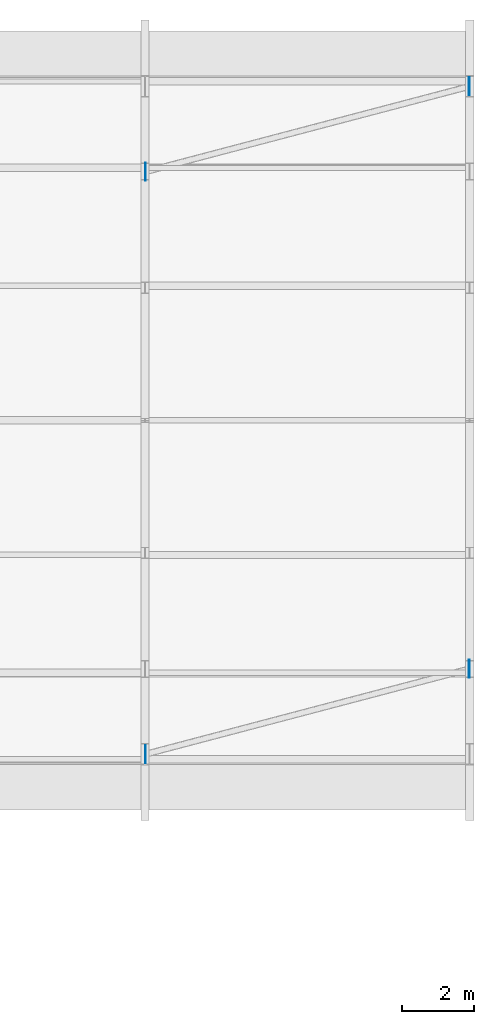
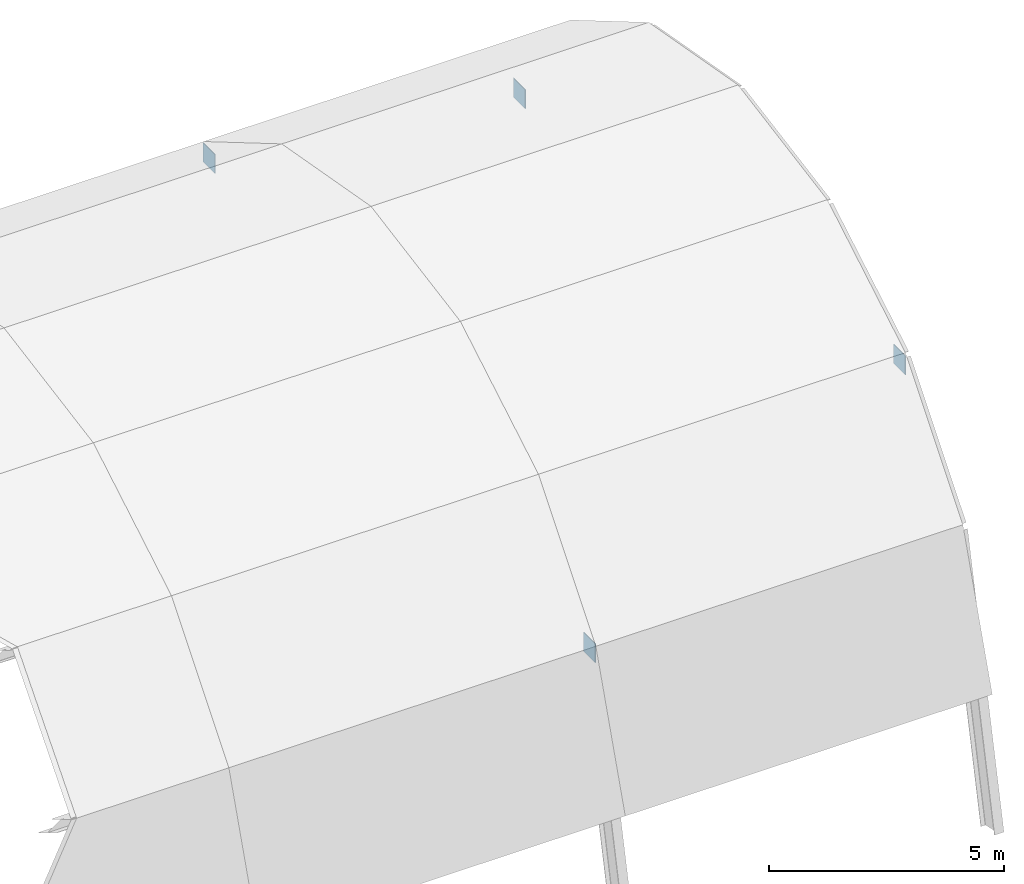
# One storey, part 11 of 15: 4 plates.
"""IFC4 building model written with IfcOpenShell, lengths in metres."""

from ifc_helpers import new_model, si_unit, direction, frame, origin, origin_2d, place, context, subcontext, project, spatial, rectangle, extrude, material, layer, layer_set, type_object, element, save


model = new_model("IFC4")

# Units and contexts
model_context = context("Model", 3, precision=1e-05, world=origin(), true_north=direction((0.0, 1.0)))
body_context = subcontext(model_context, "Body", "Model", "MODEL_VIEW")
ifc_project = project(units=[si_unit("LENGTHUNIT", "METRE"), si_unit("AREAUNIT", "SQUARE_METRE"), si_unit("VOLUMEUNIT", "CUBIC_METRE"), si_unit("PLANEANGLEUNIT", "RADIAN"), si_unit("MASSUNIT", "GRAM", prefix="KILO")], contexts=[model_context])

# Site, building, storey
site_placement = place(None, origin())
site = spatial("IfcSite", under=ifc_project, at=site_placement, CompositionType="ELEMENT")
building_placement = place(site_placement, origin())
building = spatial("IfcBuilding", under=site, at=building_placement, Name="Cendralis Terraced Arcade", CompositionType="ELEMENT")
storey_placement = place(building_placement, frame((0.0, 0.0, 34.199951171875)))
storey = spatial("IfcBuildingStorey", under=building, at=storey_placement, Name="RF", CompositionType="ELEMENT", Elevation=34.199951171875)

# Plates
ifc_material = material(Name="Steel ASTM A572 Grade 50", Category="steel")
ifc_layer = layer(ifc_material, 0.01806640625, Name="PLT-GUS-500x500x18")
ifc_layer_set = layer_set([ifc_layer], Name="Steel ASTM A572 Grade 50")
plate_type = type_object("IfcPlateType", Name="PLT-GUS-500x500x18", PredefinedType="SHEET", material=ifc_layer_set)
for number, where, z_axis, x_axis, name in (
    (1, (157.215087890625, 39.9443359375, -12.627197265625), (0.0, 0.0, 1.0), (1.0, 0.0, 0.0), "Shopping Arcade Wind Brace End Node Plate B11-K2-1"),
    (2, (166.18505859375, 42.306396484375, -9.736083984375), (0.0, 0.0, 1.0), (1.0, 0.0, 0.0), "Shopping Arcade Wind Brace End Node Plate B11-K2-2"),
    (3, (157.215087890625, 56.093505859375, -9.736083984375), (0.0, 0.0, 1.0), (1.0, 0.0, 0.0), "Shopping Arcade Wind Brace End Node Plate B11-K7-1"),
    (4, (166.18505859375, 58.455810546875, -12.627197265625), (0.0, 0.0, 1.0), (1.0, 0.0, 0.0), "Shopping Arcade Wind Brace End Node Plate B11-K7-2"),
):
    element("IfcPlate", number, at=place(storey_placement, frame(where, z_axis=z_axis, x_axis=x_axis)), inside=storey, type_object=plate_type, Name=name, PredefinedType="SHEET", context=body_context, shape_type="SweptSolid", body=[
        extrude(rectangle(XDim=0.01806640625, YDim=0.5, at=origin_2d()), origin(), (0.0, 0.0, 1.0), 0.5),
    ])

save(model, "model.ifc")
